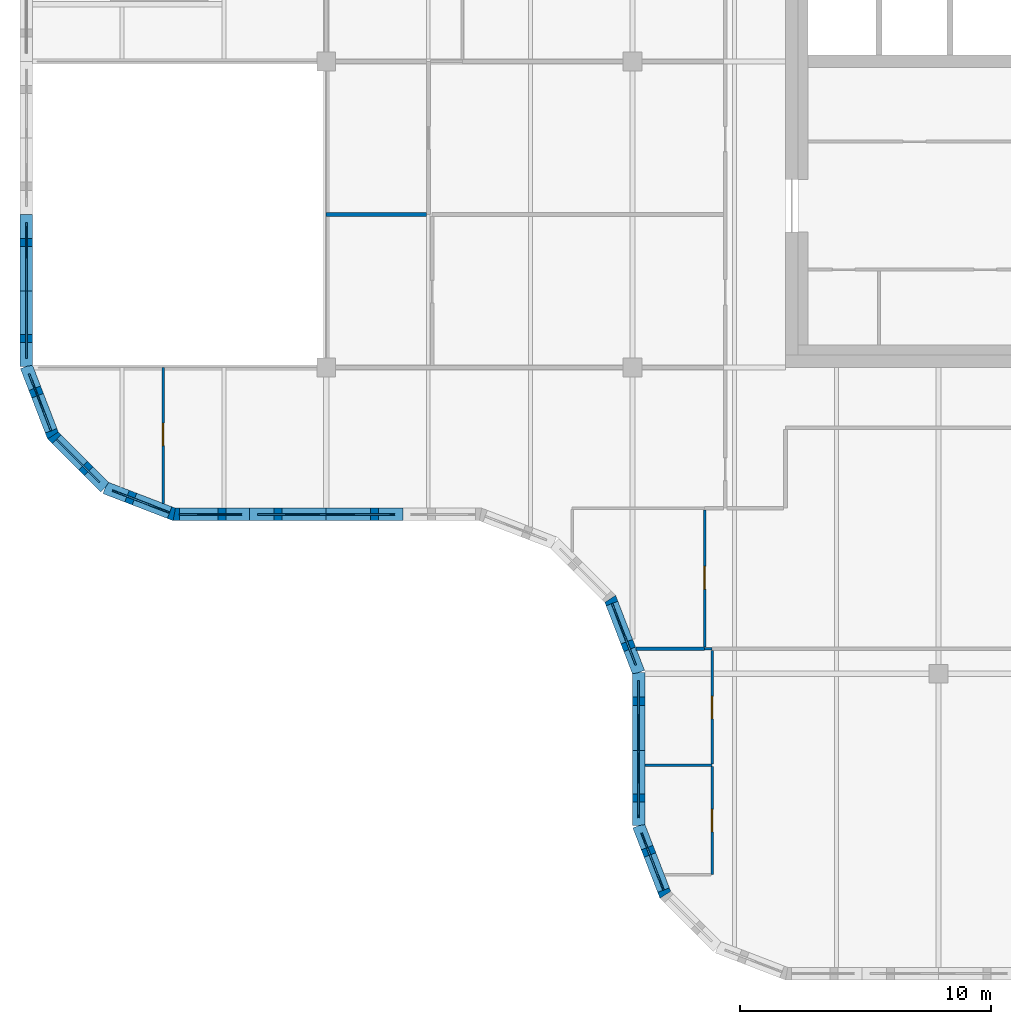
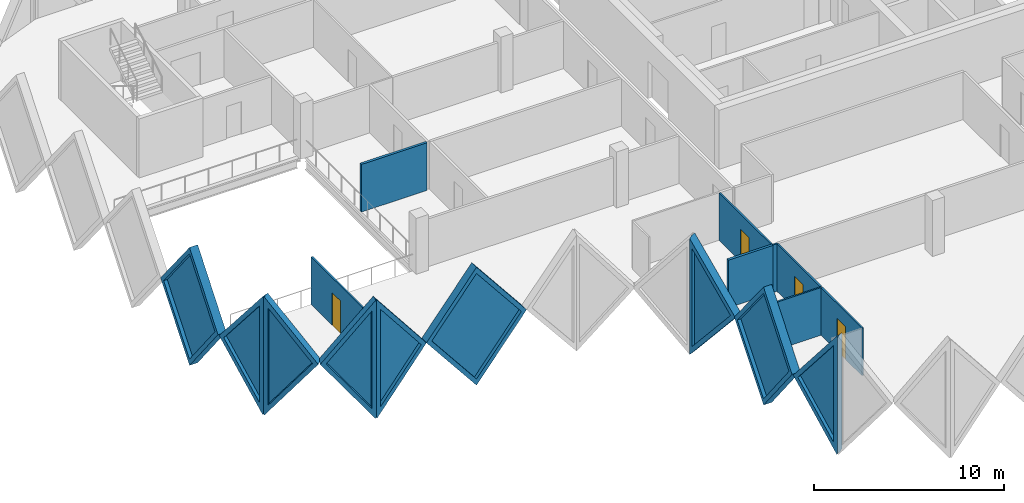
# One storey, part 3 of 12: 17 walls, 9 plates, 4 doors, 13 openings.
"""IFC4 building model written with IfcOpenShell, lengths in metres."""

from ifc_helpers import new_model, si_unit, direction, frame, frame_2d, origin, place, context, subcontext, project, spatial, polyline, rectangle, outline, extrude, faceted_brep, source, transform, mapped, material, layer, layer_set, type_object, element, fill, save


model = new_model("IFC4")

# Units and contexts
model_context = context("Model", 3, precision=1e-05, world=origin(), true_north=direction((0.0, 1.0)))
body_context = subcontext(model_context, "Body", "Model", "MODEL_VIEW")
ifc_project = project(units=[si_unit("LENGTHUNIT", "METRE"), si_unit("AREAUNIT", "SQUARE_METRE"), si_unit("VOLUMEUNIT", "CUBIC_METRE"), si_unit("PLANEANGLEUNIT", "RADIAN"), si_unit("MASSUNIT", "GRAM", prefix="KILO")], contexts=[model_context])

# Site, building, storey
site_placement = place(None, origin())
site = spatial("IfcSite", under=ifc_project, at=site_placement, CompositionType="ELEMENT")
building_placement = place(site_placement, origin())
building = spatial("IfcBuilding", under=site, at=building_placement, Name="Tessera Gate Towers", CompositionType="ELEMENT")
storey_placement = place(building_placement, frame((0.0, 0.0, 213.10009765625)))
storey = spatial("IfcBuildingStorey", under=building, at=storey_placement, Name="L53", CompositionType="ELEMENT", Elevation=213.10009765625)

# Wall, opening, door
ifc_material_1 = material(Name="Glass", Category="glass")
ifc_layer_1 = layer(ifc_material_1, 0.10009765625)
ifc_layer_set_1 = layer_set([ifc_layer_1], Name="GLAZED PARTITION 100")
wall_type_1 = type_object("IfcWallType", Name="GLAZED PARTITION 100", PredefinedType="PARTITIONING", material=ifc_layer_set_1)
wall_1_placement = place(storey_placement, frame((27.574951171875, 4.199951171875, 0.0), z_axis=(0.0, 0.0, 1.0), x_axis=(0.0, 1.0, 0.0)))
wall_1 = element("IfcWall", 1, at=wall_1_placement, inside=storey, type_object=wall_type_1, Name="T1-L53-PW-004", PredefinedType="PARTITIONING", context=body_context, shape_type="SweptSolid", body=[
    extrude(rectangle(XDim=4.296875, YDim=0.10009765625, at=frame_2d((2.1484375, 0.0))), origin(), (0.0, 0.0, 1.0), 3.06689453125),
])
shared_shape_1 = source(origin(), body_context, "Body", "SweptSolid", [
    extrude(rectangle(XDim=0.89990234375, YDim=2.10009765625, at=frame_2d((0.449951171875, 1.050048828125))), frame((0.0, 0.06005859375, 0.0), z_axis=(0.0, -1.0, 0.0), x_axis=(1.0, 0.0, 0.0)), (0.0, 0.0, 1.0), 0.1201171875),
])
opening_1_placement = place(wall_1_placement, frame((1.699951171875, 0.0, 0.0)))
opening_1 = element("IfcOpeningElement", 2, at=opening_1_placement, cuts=wall_1, Name="Opening D690-A19-05", PredefinedType="OPENING", context=body_context, shape_type="MappedRepresentation", body=[
    mapped(shared_shape_1, transform((0.0, 0.0, 0.0), scale=1.0)),
])
ifc_material_2 = material(Name="Glass in aluminium frame", Category="aluminium")
door_type = type_object("IfcDoorType", Name="GLAZED DOOR 900 NOT RATED", OperationType="NOTDEFINED", PredefinedType="DOOR", material=ifc_material_2)
shared_shape_2 = source(origin(), body_context, "Body", "SweptSolid", [
    extrude(rectangle(XDim=0.89990234375, YDim=2.10009765625, at=frame_2d((0.449951171875, 1.050048828125))), frame((0.0, 0.02490234375, 0.0), z_axis=(0.0, -1.0, 0.0), x_axis=(1.0, 0.0, 0.0)), (0.0, 0.0, 1.0), 0.050048828125),
])
door_1_placement = place(opening_1_placement, origin())
door_1 = element("IfcDoor", 3, at=door_1_placement, inside=storey, type_object=door_type, Name="T1-L53-PD-015", OperationType="SINGLE_SWING_LEFT", OverallHeight=2.10009765625, OverallWidth=0.89990234375, PredefinedType="DOOR", context=body_context, shape_type="MappedRepresentation", body=[
    mapped(shared_shape_2, transform((0.0, 0.0, 0.0), scale=1.0)),
])
fill(opening_1, door_1)

wall_2_placement = place(storey_placement, frame((27.574951171875, 8.598876953125, 0.0), z_axis=(0.0, 0.0, 1.0), x_axis=(0.0, 1.0, 0.0)))
wall_2 = element("IfcWall", 4, at=wall_2_placement, inside=storey, type_object=wall_type_1, Name="T1-L53-PW-009", PredefinedType="PARTITIONING", context=body_context, shape_type="SweptSolid", body=[
    extrude(rectangle(XDim=4.525146484375, YDim=0.10009765625, at=frame_2d((2.2626953125, 0.0))), origin(), (0.0, 0.0, 1.0), 3.06689453125),
])
opening_2_placement = place(wall_2_placement, frame((1.800048828125, 0.0, 0.0)))
opening_2 = element("IfcOpeningElement", 5, at=opening_2_placement, cuts=wall_2, Name="Opening D690-A19-01", PredefinedType="OPENING", context=body_context, shape_type="MappedRepresentation", body=[
    mapped(shared_shape_1, transform((0.0, 0.0, 0.0), scale=1.0)),
])
door_2_placement = place(opening_2_placement, origin())
door_2 = element("IfcDoor", 6, at=door_2_placement, inside=storey, type_object=door_type, Name="T1-L53-PD-003", OperationType="SINGLE_SWING_LEFT", OverallHeight=2.10009765625, OverallWidth=0.89990234375, PredefinedType="DOOR", context=body_context, shape_type="MappedRepresentation", body=[
    mapped(shared_shape_2, transform((0.0, 0.0, 0.0), scale=1.0)),
])
fill(opening_2, door_2)

# Wall
wall_3_placement = place(storey_placement, frame((27.27587890625, 13.199951171875, 0.0), z_axis=(0.0, 0.0, 1.0), x_axis=(1.0, 0.0, 0.0)))
element("IfcWall", 7, at=wall_3_placement, inside=storey, type_object=wall_type_1, Name="T1-L53-PW-014", PredefinedType="PARTITIONING", context=body_context, shape_type="SweptSolid", body=[
    extrude(rectangle(XDim=0.298095703125, YDim=0.10009765625, at=frame_2d((0.14892578125, 0.0))), origin(), (0.0, 0.0, 1.0), 3.06689453125),
])

# Wall, opening, door
wall_4_placement = place(storey_placement, frame((27.27490234375, 13.27587890625, 0.0), z_axis=(0.0, 0.0, 1.0), x_axis=(0.0, 1.0, 0.0)))
wall_4 = element("IfcWall", 8, at=wall_4_placement, inside=storey, type_object=wall_type_1, Name="T1-L53-PW-016", PredefinedType="PARTITIONING", context=body_context, shape_type="SweptSolid", body=[
    extrude(rectangle(XDim=5.4482421875, YDim=0.10009765625, at=frame_2d((2.72412109375, 0.0))), origin(), (0.0, 0.0, 1.0), 3.06689453125),
])
opening_3_placement = place(wall_4_placement, frame((2.300048828125, 0.0, 0.0)))
opening_3 = element("IfcOpeningElement", 9, at=opening_3_placement, cuts=wall_4, Name="Opening D690-A19-04", PredefinedType="OPENING", context=body_context, shape_type="MappedRepresentation", body=[
    mapped(shared_shape_1, transform((0.0, 0.0, 0.0), scale=1.0)),
])
door_3_placement = place(opening_3_placement, origin())
door_3 = element("IfcDoor", 10, at=door_3_placement, inside=storey, type_object=door_type, Name="T1-L53-PD-010", OperationType="SINGLE_SWING_LEFT", OverallHeight=2.10009765625, OverallWidth=0.89990234375, PredefinedType="DOOR", context=body_context, shape_type="MappedRepresentation", body=[
    mapped(shared_shape_2, transform((0.0, 0.0, 0.0), scale=1.0)),
])
fill(opening_3, door_3)

wall_5_placement = place(storey_placement, frame((5.699951171875, 18.990234375, 0.0), z_axis=(0.0, 0.0, 1.0), x_axis=(0.0, 1.0, 0.0)))
wall_5 = element("IfcWall", 11, at=wall_5_placement, inside=storey, type_object=wall_type_1, Name="T1-L53-PW-027", PredefinedType="PARTITIONING", context=body_context, shape_type="SweptSolid", body=[
    extrude(rectangle(XDim=5.40966796875, YDim=0.10009765625, at=frame_2d((2.704833984375, 0.0))), origin(), (0.0, 0.0, 1.0), 3.06689453125),
])
opening_4_placement = place(wall_5_placement, frame((2.300048828125, 0.0, 0.0)))
opening_4 = element("IfcOpeningElement", 12, at=opening_4_placement, cuts=wall_5, Name="Opening D690-A19-03", PredefinedType="OPENING", context=body_context, shape_type="MappedRepresentation", body=[
    mapped(shared_shape_1, transform((0.0, 0.0, 0.0), scale=1.0)),
])
door_4_placement = place(opening_4_placement, origin())
door_4 = element("IfcDoor", 13, at=door_4_placement, inside=storey, type_object=door_type, Name="T1-L53-PD-009", OperationType="SINGLE_SWING_LEFT", OverallHeight=2.10009765625, OverallWidth=0.89990234375, PredefinedType="DOOR", context=body_context, shape_type="MappedRepresentation", body=[
    mapped(shared_shape_2, transform((0.0, 0.0, 0.0), scale=1.0)),
])
fill(opening_4, door_4)

# Walls
ifc_material_3 = material(Name="Gypsum board on steel studs", Category="steel")
ifc_layer_2 = layer(ifc_material_3, 0.10009765625)
ifc_layer_set_2 = layer_set([ifc_layer_2], Name="PARTITION 100")
wall_type_2 = type_object("IfcWallType", Name="PARTITION 100", PredefinedType="PARTITIONING", material=ifc_layer_set_2)
wall_6_placement = place(storey_placement, frame((24.89990234375, 8.548095703125, 0.0), z_axis=(0.0, 0.0, 1.0), x_axis=(1.0, 0.0, 0.0)))
element("IfcWall", 14, at=wall_6_placement, inside=storey, type_object=wall_type_2, Name="T1-L53-PW-008", PredefinedType="PARTITIONING", context=body_context, shape_type="SweptSolid", body=[
    extrude(rectangle(XDim=2.675048828125, YDim=0.10009765625, at=frame_2d((1.33740234375, 0.0))), origin(), (0.0, 0.0, 1.0), 3.06689453125),
])
ifc_material_4 = material(Name="Gypsum board on steel studs, mineral wool", Category="steel")
ifc_layer_3 = layer(ifc_material_4, 0.14990234375)
ifc_layer_set_3 = layer_set([ifc_layer_3], Name="TENANCY WALL 150")
wall_type_3 = type_object("IfcWallType", Name="TENANCY WALL 150", PredefinedType="PARTITIONING", material=ifc_layer_set_3)
wall_7_placement = place(storey_placement, frame((24.55029296875, 13.199951171875, 0.0), z_axis=(0.0, 0.0, 1.0), x_axis=(1.0, 0.0, 0.0)))
element("IfcWall", 15, at=wall_7_placement, inside=storey, type_object=wall_type_3, Name="T1-L53-PW-013", PredefinedType="PARTITIONING", context=body_context, shape_type="SweptSolid", body=[
    extrude(rectangle(XDim=2.724609375, YDim=0.14990234375, at=frame_2d((1.3623046875, 0.0))), origin(), (0.0, 0.0, 1.0), 3.06689453125),
])
wall_8_placement = place(storey_placement, frame((12.199951171875, 30.5, 0.0), z_axis=(0.0, 0.0, 1.0), x_axis=(1.0, 0.0, 0.0)))
element("IfcWall", 16, at=wall_8_placement, inside=storey, type_object=wall_type_3, Name="T1-L53-PW-035", PredefinedType="PARTITIONING", context=body_context, shape_type="SweptSolid", body=[
    extrude(rectangle(XDim=3.9990234375, YDim=0.14990234375, at=frame_2d((1.99951171875, 0.0))), origin(), (0.0, 0.0, 1.0), 3.06689453125),
])

# Wall, opening, plate
ifc_material_5 = material(Name="Precast concrete C60/75 white", Category="concrete")
ifc_layer_4 = layer(ifc_material_5, 0.5)
ifc_layer_set_4 = layer_set([ifc_layer_4], Name="TS1 tessera")
wall_type_4 = type_object("IfcWallType", Name="TS1 tessera", PredefinedType="SOLIDWALL", material=ifc_layer_set_4)
shared_shape_3 = source(origin(), body_context, "Body", "SweptSolid", [
    extrude(outline(polyline([(3.050048828125, 0.0), (6.10009765625, 3.800048828125), (3.050048828125, 7.599853515625), (0.0, 3.800048828125), (3.050048828125, 0.0)])), frame((0.0, 0.25, 0.0), z_axis=(0.0, -1.0, 0.0), x_axis=(1.0, 0.0, 0.0)), (0.0, 0.0, 1.0), 0.5),
])
wall_9_placement = place(storey_placement, frame((9.14990234375, 18.550048828125, -3.800048828125), z_axis=(0.0, 0.0, 1.0), x_axis=(1.0, 0.0, 0.0)))
wall_9 = element("IfcWall", 17, at=wall_9_placement, inside=storey, type_object=wall_type_4, Name="Precast tessera T1 TS1-0941", PredefinedType="SOLIDWALL", context=body_context, shape_type="MappedRepresentation", body=[
    mapped(shared_shape_3, transform((0.0, 0.0, 0.0), scale=1.0)),
])
shared_shape_4 = source(origin(), body_context, "Body", "SweptSolid", [
    extrude(outline(polyline([(3.050048828125, 0.3994140625), (5.779541015625, 3.800048828125), (3.050048828125, 7.200439453125), (0.320556640625, 3.800048828125), (3.050048828125, 0.3994140625)])), frame((0.0, 0.260009765625, 0.0), z_axis=(0.0, -1.0, 0.0), x_axis=(1.0, 0.0, 0.0)), (0.0, 0.0, 1.0), 0.52001953125),
])
opening_5_placement = place(wall_9_placement, origin())
opening_5 = element("IfcOpeningElement", 18, at=opening_5_placement, cuts=wall_9, Name="Opening T1-PL2-1919", PredefinedType="OPENING", context=body_context, shape_type="MappedRepresentation", body=[
    mapped(shared_shape_4, transform((0.0, 0.0, 0.0), scale=1.0)),
])
ifc_material_6 = material(Name="Low-e laminated glass", Category="glass")
ifc_layer_5 = layer(ifc_material_6, 0.06005859375)
ifc_layer_set_5 = layer_set([ifc_layer_5], Name="PL2 rhombic pane")
plate_type = type_object("IfcPlateType", Name="PL2 rhombic pane", PredefinedType="SHEET", material=ifc_layer_set_5)
shared_shape_5 = source(origin(), body_context, "Body", "SweptSolid", [
    extrude(outline(polyline([(3.050048828125, 0.3994140625), (5.779541015625, 3.800048828125), (3.050048828125, 7.200439453125), (0.320556640625, 3.800048828125), (3.050048828125, 0.3994140625)])), frame((0.0, 0.030029296875, 0.0), z_axis=(0.0, -1.0, 0.0), x_axis=(1.0, 0.0, 0.0)), (0.0, 0.0, 1.0), 0.06005859375),
])
plate_1_placement = place(opening_5_placement, origin())
plate_1 = element("IfcPlate", 19, at=plate_1_placement, inside=storey, type_object=plate_type, Name="Glass pane T1 PL2-1919", PredefinedType="SHEET", context=body_context, shape_type="MappedRepresentation", body=[
    mapped(shared_shape_5, transform((0.0, 0.0, 0.0), scale=1.0)),
])
fill(opening_5, plate_1)

shared_shape_6 = source(origin(), body_context, "Body", "Brep", [
    faceted_brep([(3.050048828125, -0.25, 0.0), (6.053466796875, -0.25, 3.800048828125), (3.050048828125, -0.25, 7.599853515625), (0.0, -0.25, 3.800048828125), (0.0, 0.25, 3.800048828125), (3.050048828125, 0.25, 7.599853515625), (6.0068359375, 0.25, 3.85888671875), (6.0068359375, 0.25, 3.7412109375), (3.050048828125, 0.25, 0.0), (6.053466796875, 0.0, 3.800048828125)], [[[0, 1, 2, 3]], [[4, 5, 6, 7, 8]], [[8, 7, 9, 1, 0]], [[6, 5, 2, 1, 9]], [[5, 4, 3, 2]], [[4, 8, 0, 3]], [[7, 6, 9]]]),
])
wall_10_placement = place(storey_placement, frame((0.25, 30.5, -3.800048828125), z_axis=(0.0, 0.0, 1.0), x_axis=(0.0, -1.0, 0.0)))
wall_10 = element("IfcWall", 20, at=wall_10_placement, inside=storey, type_object=wall_type_4, Name="Precast tessera T1 TS1-0940", PredefinedType="SOLIDWALL", context=body_context, shape_type="MappedRepresentation", body=[
    mapped(shared_shape_6, transform((0.0, 0.0, 0.0), scale=1.0)),
])
shared_shape_7 = source(origin(), body_context, "Body", "SweptSolid", [
    extrude(outline(polyline([(3.048583984375, 0.401123046875), (5.73486328125, 3.800048828125), (3.048583984375, 7.19873046875), (0.320556640625, 3.800048828125), (3.048583984375, 0.401123046875)])), frame((0.0, 0.260009765625, 0.0), z_axis=(0.0, -1.0, 0.0), x_axis=(1.0, 0.0, 0.0)), (0.0, 0.0, 1.0), 0.52001953125),
])
opening_6_placement = place(wall_10_placement, origin())
opening_6 = element("IfcOpeningElement", 21, at=opening_6_placement, cuts=wall_10, Name="Opening T1-PL2-1914", PredefinedType="OPENING", context=body_context, shape_type="MappedRepresentation", body=[
    mapped(shared_shape_7, transform((0.0, 0.0, 0.0), scale=1.0)),
])
shared_shape_8 = source(origin(), body_context, "Body", "SweptSolid", [
    extrude(outline(polyline([(3.048583984375, 0.401123046875), (5.73486328125, 3.800048828125), (3.048583984375, 7.19873046875), (0.320556640625, 3.800048828125), (3.048583984375, 0.401123046875)])), frame((0.0, 0.030029296875, 0.0), z_axis=(0.0, -1.0, 0.0), x_axis=(1.0, 0.0, 0.0)), (0.0, 0.0, 1.0), 0.06005859375),
])
plate_2_placement = place(opening_6_placement, origin())
plate_2 = element("IfcPlate", 22, at=plate_2_placement, inside=storey, type_object=plate_type, Name="Glass pane T1 PL2-1914", PredefinedType="SHEET", context=body_context, shape_type="MappedRepresentation", body=[
    mapped(shared_shape_8, transform((0.0, 0.0, 0.0), scale=1.0)),
])
fill(opening_6, plate_2)

ifc_material_7 = material(Name="Precast concrete C60/75 white", Category="concrete")
ifc_layer_6 = layer(ifc_material_7, 0.5)
ifc_layer_set_6 = layer_set([ifc_layer_6], Name="TS3 corner tessera")
wall_type_5 = type_object("IfcWallType", Name="TS3 corner tessera", PredefinedType="SOLIDWALL", material=ifc_layer_set_6)
shared_shape_9 = source(origin(), body_context, "Body", "Brep", [
    faceted_brep([(2.950439453125, -0.25, 0.0), (3.00341796875, -0.25, 0.068359375), (3.00341796875, -0.25, 7.531494140625), (2.950439453125, -0.25, 7.599853515625), (0.0, -0.25, 3.800048828125), (0.046630859375, 0.25, 3.860107421875), (2.897705078125, 0.25, 7.53173828125), (2.897705078125, 0.25, 0.068115234375), (0.046630859375, 0.25, 3.739990234375), (2.950439453125, 0.00048828125, 0.0), (2.950439453125, 0.00048828125, 7.599853515625), (0.0, 0.0, 3.800048828125)], [[[0, 1, 2, 3, 4]], [[5, 6, 7, 8]], [[1, 0, 9]], [[10, 3, 2]], [[6, 5, 11, 4, 3, 10]], [[8, 7, 9, 0, 4, 11]], [[8, 11, 5]], [[1, 9, 7, 6, 10, 2]]]),
])
wall_11_placement = place(storey_placement, frame((24.64990234375, 6.146484375, -3.800048828125), z_axis=(0.0, 0.0, 1.0), x_axis=(0.359953949349, -0.932970071518, 0.0)))
wall_11 = element("IfcWall", 23, at=wall_11_placement, inside=storey, type_object=wall_type_5, Name="Precast corner tessera T1 TS3-1247", PredefinedType="SOLIDWALL", context=body_context, shape_type="MappedRepresentation", body=[
    mapped(shared_shape_9, transform((0.0, 0.0, 0.0), scale=1.0)),
])
shared_shape_10 = source(origin(), body_context, "Body", "SweptSolid", [
    extrude(outline(polyline([(2.75048828125, 6.934814453125), (0.31640625, 3.800048828125), (2.75048828125, 0.665283203125), (2.75048828125, 6.934814453125)])), frame((0.0, 0.260009765625, 0.0), z_axis=(0.0, -1.0, 0.0), x_axis=(1.0, 0.0, 0.0)), (0.0, 0.0, 1.0), 0.52001953125),
])
opening_7_placement = place(wall_11_placement, origin())
opening_7 = element("IfcOpeningElement", 24, at=opening_7_placement, cuts=wall_11, Name="Opening T1-PL2-1925", PredefinedType="OPENING", context=body_context, shape_type="MappedRepresentation", body=[
    mapped(shared_shape_10, transform((0.0, 0.0, 0.0), scale=1.0)),
])
shared_shape_11 = source(origin(), body_context, "Body", "SweptSolid", [
    extrude(outline(polyline([(2.75048828125, 6.934814453125), (0.31640625, 3.800048828125), (2.75048828125, 0.665283203125), (2.75048828125, 6.934814453125)])), frame((0.0, 0.030029296875, 0.0), z_axis=(0.0, -1.0, 0.0), x_axis=(1.0, 0.0, 0.0)), (0.0, 0.0, 1.0), 0.06005859375),
])
plate_3_placement = place(opening_7_placement, origin())
plate_3 = element("IfcPlate", 25, at=plate_3_placement, inside=storey, type_object=plate_type, Name="Glass pane T1 PL2-1925", PredefinedType="SHEET", context=body_context, shape_type="MappedRepresentation", body=[
    mapped(shared_shape_11, transform((0.0, 0.0, 0.0), scale=1.0)),
])
fill(opening_7, plate_3)

shared_shape_12 = source(origin(), body_context, "Body", "Brep", [
    faceted_brep([(0.052978515625, -0.25, 0.0), (2.9970703125, -0.25, 3.800048828125), (0.052978515625, -0.25, 7.599853515625), (0.0, -0.25, 7.53173828125), (0.0, -0.25, 0.068115234375), (0.10595703125, 0.25, 7.531494140625), (2.944091796875, 0.25, 3.8681640625), (2.944091796875, 0.25, 3.73193359375), (0.10595703125, 0.25, 0.068359375), (2.9970703125, 0.000244140625, 3.800048828125), (0.052978515625, 0.0, 0.0), (0.052978515625, 0.0, 7.599853515625)], [[[0, 1, 2, 3, 4]], [[5, 6, 7, 8]], [[8, 7, 9, 1, 0, 10]], [[6, 5, 11, 2, 1, 9]], [[3, 2, 11]], [[10, 0, 4]], [[8, 10, 4, 3, 11, 5]], [[7, 6, 9]]]),
])
wall_12_placement = place(storey_placement, frame((1.2744140625, 21.731201171875, -3.800048828125), z_axis=(0.0, 0.0, 1.0), x_axis=(0.707147509625, -0.707066050402, 0.0)))
wall_12 = element("IfcWall", 26, at=wall_12_placement, inside=storey, type_object=wall_type_5, Name="Precast corner tessera T1 TS3-1240", PredefinedType="SOLIDWALL", context=body_context, shape_type="MappedRepresentation", body=[
    mapped(shared_shape_12, transform((0.0, 0.0, 0.0), scale=1.0)),
])
shared_shape_13 = source(origin(), body_context, "Body", "SweptSolid", [
    extrude(outline(polyline([(0.2529296875, 0.666259765625), (2.680908203125, 3.800048828125), (0.2529296875, 6.93359375), (0.2529296875, 0.666259765625)])), frame((0.0, 0.260009765625, 0.0), z_axis=(0.0, -1.0, 0.0), x_axis=(1.0, 0.0, 0.0)), (0.0, 0.0, 1.0), 0.52001953125),
])
opening_8_placement = place(wall_12_placement, origin())
opening_8 = element("IfcOpeningElement", 27, at=opening_8_placement, cuts=wall_12, Name="Opening T1-PL2-1916", PredefinedType="OPENING", context=body_context, shape_type="MappedRepresentation", body=[
    mapped(shared_shape_13, transform((0.0, 0.0, 0.0), scale=1.0)),
])
shared_shape_14 = source(origin(), body_context, "Body", "SweptSolid", [
    extrude(outline(polyline([(0.2529296875, 0.666259765625), (2.680908203125, 3.800048828125), (0.2529296875, 6.93359375), (0.2529296875, 0.666259765625)])), frame((0.0, 0.030029296875, 0.0), z_axis=(0.0, -1.0, 0.0), x_axis=(1.0, 0.0, 0.0)), (0.0, 0.0, 1.0), 0.06005859375),
])
plate_4_placement = place(opening_8_placement, origin())
plate_4 = element("IfcPlate", 28, at=plate_4_placement, inside=storey, type_object=plate_type, Name="Glass pane T1 PL2-1916", PredefinedType="SHEET", context=body_context, shape_type="MappedRepresentation", body=[
    mapped(shared_shape_14, transform((0.0, 0.0, 0.0), scale=1.0)),
])
fill(opening_8, plate_4)

shared_shape_15 = source(origin(), body_context, "Body", "Brep", [
    faceted_brep([(2.950439453125, -0.25, 0.0), (2.9970703125, -0.25, 0.05908203125), (2.9970703125, -0.25, 7.540771484375), (2.950439453125, -0.25, 7.599853515625), (0.0, -0.25, 3.800048828125), (0.052978515625, 0.25, 3.8681640625), (2.904052734375, 0.25, 7.5400390625), (2.904052734375, 0.25, 0.059814453125), (0.052978515625, 0.25, 3.73193359375), (2.950439453125, 0.00048828125, 0.0), (2.950439453125, 0.00048828125, 7.599853515625), (0.0, 0.0, 3.800048828125)], [[[0, 1, 2, 3, 4]], [[5, 6, 7, 8]], [[1, 0, 9]], [[10, 3, 2]], [[6, 5, 11, 4, 3, 10]], [[8, 7, 9, 0, 4, 11]], [[8, 11, 5]], [[1, 9, 7, 6, 10, 2]]]),
])
wall_13_placement = place(storey_placement, frame((3.393798828125, 19.61181640625, -3.800048828125), z_axis=(0.0, 0.0, 1.0), x_axis=(0.932990326376, -0.359901446078, 0.0)))
wall_13 = element("IfcWall", 29, at=wall_13_placement, inside=storey, type_object=wall_type_5, Name="Precast corner tessera T1 TS3-1241", PredefinedType="SOLIDWALL", context=body_context, shape_type="MappedRepresentation", body=[
    mapped(shared_shape_15, transform((0.0, 0.0, 0.0), scale=1.0)),
])
opening_9_placement = place(wall_13_placement, origin())
opening_9 = element("IfcOpeningElement", 30, at=opening_9_placement, cuts=wall_13, Name="Opening T1-PL2-1917", PredefinedType="OPENING", context=body_context, shape_type="MappedRepresentation", body=[
    mapped(shared_shape_10, transform((0.0, 0.0, 0.0), scale=1.0)),
])
plate_5_placement = place(opening_9_placement, origin())
plate_5 = element("IfcPlate", 31, at=plate_5_placement, inside=storey, type_object=plate_type, Name="Glass pane T1 PL2-1917", PredefinedType="SHEET", context=body_context, shape_type="MappedRepresentation", body=[
    mapped(shared_shape_11, transform((0.0, 0.0, 0.0), scale=1.0)),
])
fill(opening_9, plate_5)

shared_shape_16 = source(origin(), body_context, "Body", "Brep", [
    faceted_brep([(0.046630859375, -0.25, 0.0), (3.050048828125, -0.25, 3.800048828125), (0.046630859375, -0.25, 7.599853515625), (0.0, -0.25, 7.539794921875), (0.0, -0.25, 0.06005859375), (0.09326171875, 0.25, 7.541015625), (3.050048828125, 0.25, 3.800048828125), (0.09326171875, 0.25, 0.058837890625), (0.046630859375, 0.0, 0.0), (0.046630859375, 0.0, 7.599853515625)], [[[0, 1, 2, 3, 4]], [[5, 6, 7]], [[7, 6, 1, 0, 8]], [[6, 5, 9, 2, 1]], [[3, 2, 9]], [[8, 0, 4]], [[7, 8, 4, 3, 9, 5]]]),
])
wall_14_placement = place(storey_placement, frame((6.099853515625, 18.550048828125, -3.800048828125), z_axis=(0.0, 0.0, 1.0), x_axis=(1.0, 0.0, 0.0)))
wall_14 = element("IfcWall", 32, at=wall_14_placement, inside=storey, type_object=wall_type_5, Name="Precast corner tessera T1 TS3-1242", PredefinedType="SOLIDWALL", context=body_context, shape_type="MappedRepresentation", body=[
    mapped(shared_shape_16, transform((0.0, 0.0, 0.0), scale=1.0)),
])
shared_shape_17 = source(origin(), body_context, "Body", "SweptSolid", [
    extrude(outline(polyline([(0.24658203125, 0.65625), (2.7314453125, 3.800048828125), (0.24658203125, 6.94384765625), (0.24658203125, 0.65625)])), frame((0.0, 0.260009765625, 0.0), z_axis=(0.0, -1.0, 0.0), x_axis=(1.0, 0.0, 0.0)), (0.0, 0.0, 1.0), 0.52001953125),
])
opening_10_placement = place(wall_14_placement, origin())
opening_10 = element("IfcOpeningElement", 33, at=opening_10_placement, cuts=wall_14, Name="Opening T1-PL2-1918", PredefinedType="OPENING", context=body_context, shape_type="MappedRepresentation", body=[
    mapped(shared_shape_17, transform((0.0, 0.0, 0.0), scale=1.0)),
])
shared_shape_18 = source(origin(), body_context, "Body", "SweptSolid", [
    extrude(outline(polyline([(0.24658203125, 0.65625), (2.7314453125, 3.800048828125), (0.24658203125, 6.94384765625), (0.24658203125, 0.65625)])), frame((0.0, 0.030029296875, 0.0), z_axis=(0.0, -1.0, 0.0), x_axis=(1.0, 0.0, 0.0)), (0.0, 0.0, 1.0), 0.06005859375),
])
plate_6_placement = place(opening_10_placement, origin())
plate_6 = element("IfcPlate", 34, at=plate_6_placement, inside=storey, type_object=plate_type, Name="Glass pane T1 PL2-1918", PredefinedType="SHEET", context=body_context, shape_type="MappedRepresentation", body=[
    mapped(shared_shape_18, transform((0.0, 0.0, 0.0), scale=1.0)),
])
fill(opening_10, plate_6)

shared_shape_19 = source(origin(), body_context, "Body", "Brep", [
    faceted_brep([(2.950439453125, -0.25, 0.0), (3.00341796875, -0.25, 0.068359375), (3.00341796875, -0.25, 7.531494140625), (2.950439453125, -0.25, 7.599853515625), (0.0, -0.25, 3.800048828125), (0.046630859375, 0.25, 3.860107421875), (2.897705078125, 0.25, 7.53173828125), (2.897705078125, 0.25, 0.068115234375), (0.046630859375, 0.25, 3.739990234375), (2.950439453125, 0.00048828125, 0.0), (2.950439453125, 0.00048828125, 7.599853515625), (0.0, 0.0, 3.800048828125)], [[[0, 1, 2, 3, 4]], [[5, 6, 7, 8]], [[1, 0, 9]], [[10, 3, 2]], [[6, 5, 11, 4, 3, 10]], [[8, 7, 9, 0, 4, 11]], [[8, 11, 5]], [[1, 9, 7, 6, 10, 2]]]),
])
wall_15_placement = place(storey_placement, frame((0.25, 24.446533203125, -3.800048828125), z_axis=(0.0, 0.0, 1.0), x_axis=(0.35992665181, -0.932980602862, 0.0)))
wall_15 = element("IfcWall", 35, at=wall_15_placement, inside=storey, type_object=wall_type_5, Name="Precast corner tessera T1 TS3-1239", PredefinedType="SOLIDWALL", context=body_context, shape_type="MappedRepresentation", body=[
    mapped(shared_shape_19, transform((0.0, 0.0, 0.0), scale=1.0)),
])
opening_11_placement = place(wall_15_placement, origin())
opening_11 = element("IfcOpeningElement", 36, at=opening_11_placement, cuts=wall_15, Name="Opening T1-PL2-1915", PredefinedType="OPENING", context=body_context, shape_type="MappedRepresentation", body=[
    mapped(shared_shape_10, transform((0.0, 0.0, 0.0), scale=1.0)),
])
plate_7_placement = place(opening_11_placement, origin())
plate_7 = element("IfcPlate", 37, at=plate_7_placement, inside=storey, type_object=plate_type, Name="Glass pane T1 PL2-1915", PredefinedType="SHEET", context=body_context, shape_type="MappedRepresentation", body=[
    mapped(shared_shape_11, transform((0.0, 0.0, 0.0), scale=1.0)),
])
fill(opening_11, plate_7)

shared_shape_20 = source(origin(), body_context, "Body", "Brep", [
    faceted_brep([(0.10595703125, -0.25, 0.06396484375), (3.156005859375, -0.25, 3.743896484375), (3.156005859375, -0.25, 3.856201171875), (0.10595703125, -0.25, 7.535888671875), (0.0, 0.25, 7.5361328125), (0.052978515625, 0.25, 7.599853515625), (3.202392578125, 0.25, 3.800048828125), (0.052978515625, 0.25, 0.0), (0.0, 0.25, 0.063720703125), (3.202392578125, -0.000244140625, 3.800048828125), (0.052978515625, 0.0, 0.0), (0.052978515625, 0.0, 7.599853515625)], [[[0, 1, 2, 3]], [[4, 5, 6, 7, 8]], [[7, 6, 9, 1, 0, 10]], [[6, 5, 11, 3, 2, 9]], [[5, 4, 11]], [[8, 7, 10]], [[8, 10, 0, 3, 11, 4]], [[1, 9, 2]]]),
])
wall_16_placement = place(storey_placement, frame((23.497314453125, 15.234375, -3.800048828125), z_axis=(0.0, 0.0, 1.0), x_axis=(0.359913782069, -0.932985567668, 0.0)))
wall_16 = element("IfcWall", 38, at=wall_16_placement, inside=storey, type_object=wall_type_5, Name="Precast corner tessera T1 TS3-1246", PredefinedType="SOLIDWALL", context=body_context, shape_type="MappedRepresentation", body=[
    mapped(shared_shape_20, transform((0.0, 0.0, 0.0), scale=1.0)),
])
shared_shape_21 = source(origin(), body_context, "Body", "SweptSolid", [
    extrude(outline(polyline([(0.2529296875, 0.633056640625), (2.877685546875, 3.800048828125), (0.2529296875, 6.966796875), (0.2529296875, 0.633056640625)])), frame((0.0, 0.260009765625, 0.0), z_axis=(0.0, -1.0, 0.0), x_axis=(1.0, 0.0, 0.0)), (0.0, 0.0, 1.0), 0.52001953125),
])
opening_12_placement = place(wall_16_placement, origin())
opening_12 = element("IfcOpeningElement", 39, at=opening_12_placement, cuts=wall_16, Name="Opening T1-PL2-1923", PredefinedType="OPENING", context=body_context, shape_type="MappedRepresentation", body=[
    mapped(shared_shape_21, transform((0.0, 0.0, 0.0), scale=1.0)),
])
shared_shape_22 = source(origin(), body_context, "Body", "SweptSolid", [
    extrude(outline(polyline([(0.2529296875, 0.633056640625), (2.877685546875, 3.800048828125), (0.2529296875, 6.966796875), (0.2529296875, 0.633056640625)])), frame((0.0, 0.030029296875, 0.0), z_axis=(0.0, -1.0, 0.0), x_axis=(1.0, 0.0, 0.0)), (0.0, 0.0, 1.0), 0.06005859375),
])
plate_8_placement = place(opening_12_placement, origin())
plate_8 = element("IfcPlate", 40, at=plate_8_placement, inside=storey, type_object=plate_type, Name="Glass pane T1 PL2-1923", PredefinedType="SHEET", context=body_context, shape_type="MappedRepresentation", body=[
    mapped(shared_shape_22, transform((0.0, 0.0, 0.0), scale=1.0)),
])
fill(opening_12, plate_8)

shared_shape_23 = source(origin(), body_context, "Body", "Brep", [
    faceted_brep([(3.096435546875, -0.25, 0.0), (6.10009765625, -0.25, 3.800048828125), (3.096435546875, -0.25, 7.599853515625), (0.046630859375, -0.25, 3.857177734375), (0.046630859375, -0.25, 3.742919921875), (0.0, 0.25, 3.800048828125), (3.096435546875, 0.25, 7.599853515625), (6.053466796875, 0.25, 3.859130859375), (6.053466796875, 0.25, 3.740966796875), (3.096435546875, 0.25, 0.0), (6.10009765625, -0.00048828125, 3.800048828125), (0.0, 0.0, 3.800048828125)], [[[0, 1, 2, 3, 4]], [[5, 6, 7, 8, 9]], [[9, 8, 10, 1, 0]], [[7, 6, 2, 1, 10]], [[6, 5, 11, 3, 2]], [[5, 9, 0, 4, 11]], [[4, 3, 11]], [[8, 7, 10]]]),
])
wall_17_placement = place(storey_placement, frame((24.64990234375, 12.24658203125, -3.800048828125), z_axis=(0.0, 0.0, 1.0), x_axis=(0.0, -1.0, 0.0)))
wall_17 = element("IfcWall", 41, at=wall_17_placement, inside=storey, type_object=wall_type_4, Name="Precast tessera T1 TS1-0942", PredefinedType="SOLIDWALL", context=body_context, shape_type="MappedRepresentation", body=[
    mapped(shared_shape_23, transform((0.0, 0.0, 0.0), scale=1.0)),
])
shared_shape_24 = source(origin(), body_context, "Body", "SweptSolid", [
    extrude(outline(polyline([(3.093505859375, 0.3994140625), (5.78125, 3.800048828125), (3.093505859375, 7.200439453125), (0.322509765625, 3.800048828125), (3.093505859375, 0.3994140625)])), frame((0.0, 0.260009765625, 0.0), z_axis=(0.0, -1.0, 0.0), x_axis=(1.0, 0.0, 0.0)), (0.0, 0.0, 1.0), 0.52001953125),
])
opening_13_placement = place(wall_17_placement, origin())
opening_13 = element("IfcOpeningElement", 42, at=opening_13_placement, cuts=wall_17, Name="Opening T1-PL2-1924", PredefinedType="OPENING", context=body_context, shape_type="MappedRepresentation", body=[
    mapped(shared_shape_24, transform((0.0, 0.0, 0.0), scale=1.0)),
])
shared_shape_25 = source(origin(), body_context, "Body", "SweptSolid", [
    extrude(outline(polyline([(3.093505859375, 0.3994140625), (5.78125, 3.800048828125), (3.093505859375, 7.200439453125), (0.322509765625, 3.800048828125), (3.093505859375, 0.3994140625)])), frame((0.0, 0.030029296875, 0.0), z_axis=(0.0, -1.0, 0.0), x_axis=(1.0, 0.0, 0.0)), (0.0, 0.0, 1.0), 0.06005859375),
])
plate_9_placement = place(opening_13_placement, origin())
plate_9 = element("IfcPlate", 43, at=plate_9_placement, inside=storey, type_object=plate_type, Name="Glass pane T1 PL2-1924", PredefinedType="SHEET", context=body_context, shape_type="MappedRepresentation", body=[
    mapped(shared_shape_25, transform((0.0, 0.0, 0.0), scale=1.0)),
])
fill(opening_13, plate_9)

save(model, "model.ifc")
